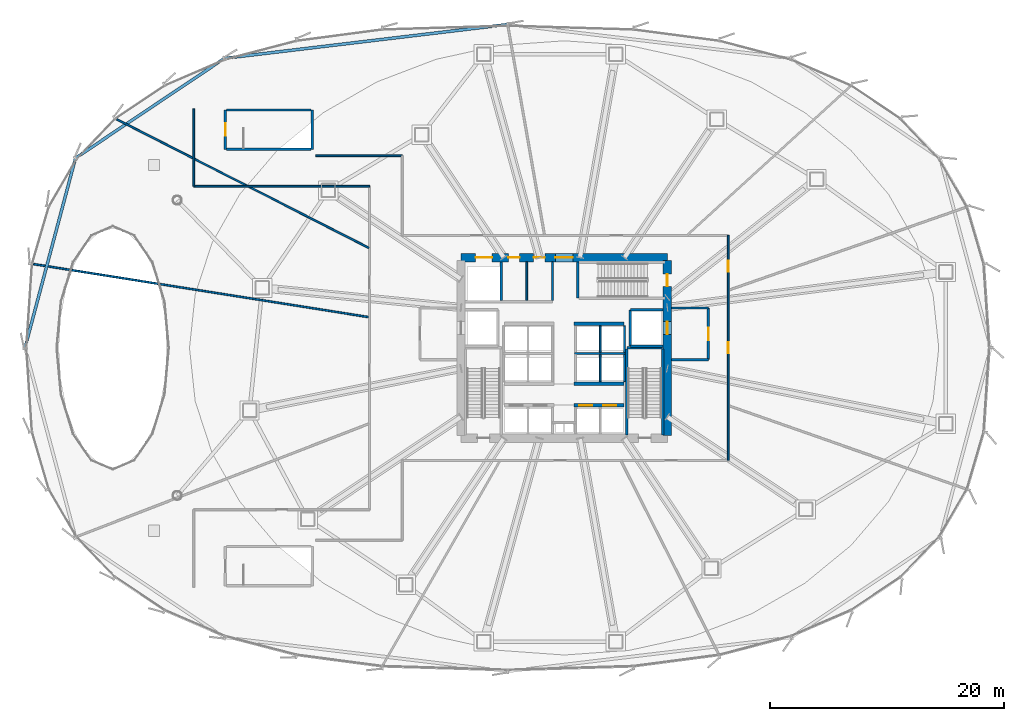
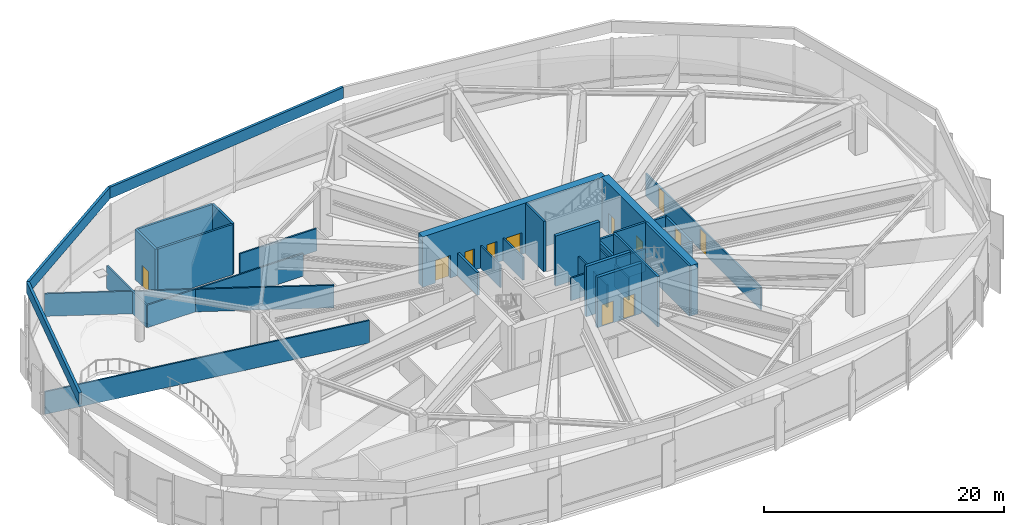
# One storey, part 28 of 36: 36 walls, 12 doors, 12 openings.
"""IFC4 building model written with IfcOpenShell, lengths in metres."""

import ifcopenshell
import ifcopenshell.guid

model = None  # the IFC model being written
_history = None  # IfcOwnerHistory: only IFC2X3 demands one
_inside = {}  # id of a spatial element -> (the spatial element, [elements in it])
_under = {}  # id of a project, library or spatial element -> (it, [spatial elements below it])
_declared = {}  # id of a project -> (the project, [libraries it declares])
_typed = {}  # id of a type object -> (the type object, [elements of that type])
_made_of = {}  # id of a material, layer set ... -> (it, [elements and type objects made of it])


def new_model(schema):
    """Start an empty IFC model of exactly this schema.

    Asked for "IFC4X3", IfcOpenShell would pick the latest addendum, in which some entities
    have other attributes; the version numbers below select the first issue.
    IFC2X3 requires an IfcOwnerHistory on every rooted entity: one is made here for all.
    """
    global model, _history
    if schema == "IFC4X3":
        model = ifcopenshell.file(schema_version=(4, 3, 0, 0))
    else:
        model = ifcopenshell.file(schema=schema)
    _inside.clear()
    _under.clear()
    _declared.clear()
    _typed.clear()
    _made_of.clear()
    _history = None
    if model.schema == "IFC2X3":
        org = make("IfcOrganization", Name="unknown")
        user = make(
            "IfcPersonAndOrganization",
            ThePerson=make("IfcPerson", FamilyName="unknown"),
            TheOrganization=org,
        )
        app = make(
            "IfcApplication",
            ApplicationDeveloper=org,
            Version="unknown",
            ApplicationFullName="unknown",
            ApplicationIdentifier="unknown",
        )
        _history = make(
            "IfcOwnerHistory",
            OwningUser=user,
            OwningApplication=app,
            ChangeAction="ADDED",
            CreationDate=0,
        )
    return model


def make(cls, **values):
    """One entity of the class cls with the attributes given. An attribute that is None is left unset."""
    return model.create_entity(
        cls, **{name: value for name, value in values.items() if value is not None}
    )


def rooted(cls, **values):
    """An entity with a GlobalId (a new one), such as an element, a storey or a relation."""
    return make(cls, GlobalId=ifcopenshell.guid.new(), OwnerHistory=_history, **values)


def si_unit(unit_type, name, prefix=None):
    """IfcSIUnit, for example si_unit("LENGTHUNIT", "METRE", prefix="MILLI")."""
    return make("IfcSIUnit", UnitType=unit_type, Prefix=prefix, Name=name)


def assignment(units):
    """IfcUnitAssignment: the units of a project."""
    return None if units is None else make("IfcUnitAssignment", Units=units)


def point(xyz):
    """IfcCartesianPoint."""
    return None if xyz is None else make("IfcCartesianPoint", Coordinates=xyz)


def direction(xyz):
    """IfcDirection."""
    return None if xyz is None else make("IfcDirection", DirectionRatios=xyz)


def frame(location, z_axis=None, x_axis=None):
    """IfcAxis2Placement3D, a coordinate frame: its origin and axes. An axis left out is left unset."""
    return make(
        "IfcAxis2Placement3D",
        Location=point(location),
        Axis=direction(z_axis),
        RefDirection=direction(x_axis),
    )


def frame_2d(location, x_axis=None):
    """IfcAxis2Placement2D, a coordinate frame in the plane: its origin and x axis."""
    return make(
        "IfcAxis2Placement2D", Location=point(location), RefDirection=direction(x_axis)
    )


def origin():
    """The frame at (0, 0, 0) with its axes left unset."""
    return frame((0.0, 0.0, 0.0))


def place(relative_to, where):
    """IfcLocalPlacement: puts the frame where relative to a parent placement (None: the world)."""
    return make(
        "IfcLocalPlacement", PlacementRelTo=relative_to, RelativePlacement=where
    )


def context(
    kind, dimensions, precision=None, world=None, true_north=None, identifier=None
):
    """IfcGeometricRepresentationContext, for example the 3D "Model" context."""
    return make(
        "IfcGeometricRepresentationContext",
        ContextIdentifier=identifier,
        ContextType=kind,
        CoordinateSpaceDimension=dimensions,
        Precision=precision,
        WorldCoordinateSystem=world,
        TrueNorth=true_north,
    )


def subcontext(parent, identifier, kind, view, scale=None):
    """IfcGeometricRepresentationSubContext, for example "Body" below "Model"."""
    return make(
        "IfcGeometricRepresentationSubContext",
        ContextIdentifier=identifier,
        ContextType=kind,
        ParentContext=parent,
        TargetScale=scale,
        TargetView=view,
    )


def project(units=None, contexts=None):
    """IfcProject with its units and contexts."""
    return rooted(
        "IfcProject",
        Name="project",
        RepresentationContexts=contexts,
        UnitsInContext=assignment(units),
    )


def spatial(cls, under=None, at=None, **own):
    """A site, building, storey or space (cls), placed at a placement, below another one or the project."""
    s = rooted(cls, ObjectPlacement=at, **own)
    if under is not None:
        _under.setdefault(under.id(), (under, []))[1].append(s)
    return s


def profile(cls, at=None, kind="AREA", **sizes):
    """A parametric profile (cls). Its sizes go by their IFC names, for example OverallWidth=200.0."""
    return make(cls, ProfileType=kind, Position=at, **sizes)


def rectangle(**sizes):
    """IfcRectangleProfileDef."""
    return profile("IfcRectangleProfileDef", **sizes)


def extrude(swept, where, along, depth):
    """IfcExtrudedAreaSolid: the profile swept, set in the frame where, extruded along a direction by depth."""
    return make(
        "IfcExtrudedAreaSolid",
        SweptArea=swept,
        Position=where,
        ExtrudedDirection=direction(along),
        Depth=depth,
    )


def shape(context_of_items, identifier, shape_type, items):
    """IfcShapeRepresentation: the items that make up one representation, for example the "Body"."""
    return make(
        "IfcShapeRepresentation",
        ContextOfItems=context_of_items,
        RepresentationIdentifier=identifier,
        RepresentationType=shape_type,
        Items=items,
    )


def source(mapping_origin, context_of_items, identifier, shape_type, items):
    """IfcRepresentationMap: a shape defined once, which mapped items show again and again."""
    return make(
        "IfcRepresentationMap",
        MappingOrigin=mapping_origin,
        MappedRepresentation=shape(context_of_items, identifier, shape_type, items),
    )


def transform(
    local_origin,
    x_axis=None,
    y_axis=None,
    z_axis=None,
    scale=None,
    scale2=None,
    scale3=None,
    uniform=True,
):
    """IfcCartesianTransformationOperator3D, or its non-uniform kind. x_axis, y_axis, z_axis: its Axis1, 2, 3."""
    if uniform:
        return make(
            "IfcCartesianTransformationOperator3D",
            Axis1=direction(x_axis),
            Axis2=direction(y_axis),
            LocalOrigin=point(local_origin),
            Scale=scale,
            Axis3=direction(z_axis),
        )
    return make(
        "IfcCartesianTransformationOperator3DnonUniform",
        Axis1=direction(x_axis),
        Axis2=direction(y_axis),
        LocalOrigin=point(local_origin),
        Scale=scale,
        Axis3=direction(z_axis),
        Scale2=scale2,
        Scale3=scale3,
    )


def mapped(mapping_source, mapping_target):
    """IfcMappedItem: shows the shape of a source again, moved by a transform."""
    return make(
        "IfcMappedItem", MappingSource=mapping_source, MappingTarget=mapping_target
    )


def material(Name=None, Category=None):
    """IfcMaterial."""
    return make("IfcMaterial", Name=Name, Category=Category)


def layer(
    of_material, thickness, ventilated=None, Name=None, Category=None, Priority=None
):
    """IfcMaterialLayer: one layer of a wall or slab, of a material (None: an air gap)."""
    return make(
        "IfcMaterialLayer",
        Material=of_material,
        LayerThickness=thickness,
        IsVentilated=ventilated,
        Name=Name,
        Category=Category,
        Priority=Priority,
    )


def layer_set(layers, Name=None):
    """IfcMaterialLayerSet."""
    return make("IfcMaterialLayerSet", MaterialLayers=layers, LayerSetName=Name)


def made_of(thing, what):
    """Note that an element or type object is made of a material, layer set ...; save() writes the relation."""
    if what is not None:
        _made_of.setdefault(what.id(), (what, []))[1].append(thing)
    return thing


def type_object(cls, material=None, **own):
    """A type object (cls), such as IfcWallType, which elements share."""
    return made_of(rooted(cls, **own), material)


def element(
    cls,
    number,
    at=None,
    inside=None,
    cuts=None,
    type_object=None,
    material=None,
    context=None,
    identifier="Body",
    shape_type=None,
    held_by="IfcProductDefinitionShape",
    body=None,
    shapes=None,
    **own,
):
    """One element of the class cls, such as IfcWall. Its Tag is "e" and its number.

    at: its placement. inside: the storey or other place that contains it. cuts: it is an
    opening in that element (IfcRelVoidsElement). A single representation is given by context,
    identifier, shape_type and body (its items); several are given by shapes. held_by: the class
    of the entity that holds the representations. save() writes the other relations.
    """
    e = rooted(cls, Tag="e%d" % number, ObjectPlacement=at, **own)
    if body is not None:
        shapes = [shape(context, identifier, shape_type, body)]
    if shapes is not None:
        e.Representation = make(held_by, Representations=shapes)
    if inside is not None:
        _inside.setdefault(inside.id(), (inside, []))[1].append(e)
    if cuts is not None:
        rooted(
            "IfcRelVoidsElement", RelatingBuildingElement=cuts, RelatedOpeningElement=e
        )
    if type_object is not None:
        _typed.setdefault(type_object.id(), (type_object, []))[1].append(e)
    return made_of(e, material)


def fill(opening, filler):
    """IfcRelFillsElement: the door or window that sits in an opening."""
    return rooted(
        "IfcRelFillsElement",
        RelatingOpeningElement=opening,
        RelatedBuildingElement=filler,
    )


def aggregate(whole, parts):
    """IfcRelAggregates: a whole, such as a stair, and the parts it consists of."""
    return rooted("IfcRelAggregates", RelatingObject=whole, RelatedObjects=parts)


def save(model, path):
    """Write the relations noted so far, then the file.

    IfcRelAggregates (storeys below a building ...), IfcRelContainedInSpatialStructure (elements
    in a storey), IfcRelDefinesByType, IfcRelAssociatesMaterial and IfcRelDeclares: one each for
    every whole, place, type object, material and project.
    """
    for whole, parts in _under.values():
        aggregate(whole, parts)
    for where, things in _inside.values():
        rooted(
            "IfcRelContainedInSpatialStructure",
            RelatedElements=things,
            RelatingStructure=where,
        )
    for kind, things in _typed.values():
        rooted("IfcRelDefinesByType", RelatedObjects=things, RelatingType=kind)
    for what, things in _made_of.values():
        rooted("IfcRelAssociatesMaterial", RelatedObjects=things, RelatingMaterial=what)
    for by, libraries in _declared.values():
        rooted("IfcRelDeclares", RelatingContext=by, RelatedDefinitions=libraries)
    model.write(path)


model = new_model("IFC4")

# Units and contexts
model_context = context("Model", 3, precision=1e-05, world=origin(), true_north=direction((0.0, 1.0)))
body_context = subcontext(model_context, "Body", "Model", "MODEL_VIEW")
ifc_project = project(units=[si_unit("LENGTHUNIT", "METRE"), si_unit("AREAUNIT", "SQUARE_METRE"), si_unit("VOLUMEUNIT", "CUBIC_METRE"), si_unit("PLANEANGLEUNIT", "RADIAN"), si_unit("MASSUNIT", "GRAM", prefix="KILO"), si_unit("THERMODYNAMICTEMPERATUREUNIT", "KELVIN")], contexts=[model_context])

# Site, building, storey
site_placement = place(None, origin())
site = spatial("IfcSite", under=ifc_project, at=site_placement, CompositionType="ELEMENT")
building_placement = place(site_placement, origin())
building = spatial("IfcBuilding", under=site, at=building_placement, Name="Kethvar Cultural Tower", CompositionType="ELEMENT")
storey_placement = place(building_placement, frame((0.0, 0.0, 24.0)))
storey = spatial("IfcBuildingStorey", under=building, at=storey_placement, Name="L05", CompositionType="ELEMENT", Elevation=24.0)

# Wall, openings, doors
ifc_material_1 = material(Name="Concrete C60/75", Category="concrete")
ifc_layer_1 = layer(ifc_material_1, 0.699951171875, Name="Concrete C60/75", Category="concrete")
ifc_layer_set_1 = layer_set([ifc_layer_1], Name="Concrete C60/75 (700 mm)")
wall_type_1 = type_object("IfcWallType", Name="WL-CORE-700", PredefinedType="SHEAR", material=ifc_layer_set_1)
wall_1_placement = place(storey_placement, frame((55.60009765625, 35.5, 0.0), z_axis=(0.0, 0.0, 1.0), x_axis=(-1.0, 0.0, 0.0)))
wall_1 = element("IfcWall", 1, at=wall_1_placement, inside=storey, type_object=wall_type_1, Name="L05 Core Shear Wall N", PredefinedType="SHEAR", context=body_context, shape_type="SweptSolid", body=[
    extrude(rectangle(XDim=17.60009765625, YDim=0.699951171875, at=frame_2d((8.800048828125, 0.0))), origin(), (0.0, 0.0, 1.0), 5.1201171875),
])
opening_1_placement = place(wall_1_placement, frame((8.050048828125, 0.0, 0.0)))
opening_1 = element("IfcOpeningElement", 2, at=opening_1_placement, cuts=wall_1, Name="Opening D-L05-LN", PredefinedType="OPENING", context=body_context, shape_type="SweptSolid", body=[
    extrude(rectangle(XDim=1.5, YDim=2.199951171875, at=frame_2d((0.75, 1.10009765625))), frame((0.0, 0.35986328125, 0.0), z_axis=(0.0, -1.0, 0.0), x_axis=(1.0, 0.0, 0.0)), (0.0, 0.0, 1.0), 0.719970703125),
])
opening_2_placement = place(wall_1_placement, frame((14.949951171875, 0.0, 0.0)))
opening_2 = element("IfcOpeningElement", 3, at=opening_2_placement, cuts=wall_1, Name="Opening LD-G1", PredefinedType="OPENING", context=body_context, shape_type="SweptSolid", body=[
    extrude(rectangle(XDim=1.39990234375, YDim=2.300048828125, at=frame_2d((0.699951171875, 1.14990234375))), frame((0.0, 0.35986328125, 0.0), z_axis=(0.0, -1.0, 0.0), x_axis=(1.0, 0.0, 0.0)), (0.0, 0.0, 1.0), 0.719970703125),
])
opening_3_placement = place(wall_1_placement, frame((12.60009765625, 0.0, 0.0)))
opening_3 = element("IfcOpeningElement", 4, at=opening_3_placement, cuts=wall_1, Name="Opening D-L05-W1", PredefinedType="OPENING", context=body_context, shape_type="SweptSolid", body=[
    extrude(rectangle(XDim=0.949951171875, YDim=2.14990234375, at=frame_2d((0.47509765625, 1.074951171875))), frame((0.0, 0.35986328125, 0.0), z_axis=(0.0, -1.0, 0.0), x_axis=(1.0, 0.0, 0.0)), (0.0, 0.0, 1.0), 0.719970703125),
])
opening_4_placement = place(wall_1_placement, frame((10.449951171875, 0.0, 0.0)))
opening_4 = element("IfcOpeningElement", 5, at=opening_4_placement, cuts=wall_1, Name="Opening D-L05-W2", PredefinedType="OPENING", context=body_context, shape_type="SweptSolid", body=[
    extrude(rectangle(XDim=0.949951171875, YDim=2.14990234375, at=frame_2d((0.47509765625, 1.074951171875))), frame((0.0, 0.35986328125, 0.0), z_axis=(0.0, -1.0, 0.0), x_axis=(1.0, 0.0, 0.0)), (0.0, 0.0, 1.0), 0.719970703125),
])
ifc_material_2 = material(Name="Architectural Oak Timber", Category="wood")
door_type_1 = type_object("IfcDoorType", Name="DR-DBL-FD60-1500", OperationType="DOUBLE_DOOR_SINGLE_SWING", PredefinedType="DOOR", material=ifc_material_2)
shared_shape_1 = source(origin(), body_context, "Body", "SweptSolid", [
    extrude(rectangle(XDim=1.5, YDim=2.199951171875, at=frame_2d((0.75, 1.10009765625))), frame((0.0, 0.02490234375, 0.0), z_axis=(0.0, -1.0, 0.0), x_axis=(1.0, 0.0, 0.0)), (0.0, 0.0, 1.0), 0.050048828125),
])
door_1_placement = place(opening_1_placement, origin())
door_1 = element("IfcDoor", 6, at=door_1_placement, inside=storey, type_object=door_type_1, Name="L05 Lift Lobby Concourse Door", OperationType="DOUBLE_DOOR_SINGLE_SWING", OverallHeight=2.199951171875, OverallWidth=1.5, PredefinedType="DOOR", context=body_context, shape_type="MappedRepresentation", body=[
    mapped(shared_shape_1, transform((0.0, 0.0, 0.0), scale=1.0)),
])
fill(opening_1, door_1)
ifc_material_3 = material(Name="Steel S355J2", Category="steel")
door_type_2 = type_object("IfcDoorType", Name="DR-LIFT-SLIDE-1400", OperationType="NOTDEFINED", PredefinedType="DOOR", material=ifc_material_3)
shared_shape_2 = source(origin(), body_context, "Body", "SweptSolid", [
    extrude(rectangle(XDim=1.39990234375, YDim=2.300048828125, at=frame_2d((0.699951171875, 1.14990234375))), frame((0.0, 0.02490234375, 0.0), z_axis=(0.0, -1.0, 0.0), x_axis=(1.0, 0.0, 0.0)), (0.0, 0.0, 1.0), 0.050048828125),
])
door_2_placement = place(opening_2_placement, origin())
door_2 = element("IfcDoor", 7, at=door_2_placement, inside=storey, type_object=door_type_2, Name="L05 Goods Lift Landing Door", OperationType="SLIDING_TO_RIGHT", OverallHeight=2.300048828125, OverallWidth=1.39990234375, PredefinedType="DOOR", context=body_context, shape_type="MappedRepresentation", body=[
    mapped(shared_shape_2, transform((0.0, 0.0, 0.0), scale=1.0)),
])
fill(opening_2, door_2)
door_type_3 = type_object("IfcDoorType", Name="DR-FD30-950", OperationType="NOTDEFINED", PredefinedType="DOOR", material=ifc_material_2)
shared_shape_3 = source(origin(), body_context, "Body", "SweptSolid", [
    extrude(rectangle(XDim=0.949951171875, YDim=2.14990234375, at=frame_2d((0.47509765625, 1.074951171875))), frame((0.0, 0.02490234375, 0.0), z_axis=(0.0, -1.0, 0.0), x_axis=(1.0, 0.0, 0.0)), (0.0, 0.0, 1.0), 0.050048828125),
])
door_3_placement = place(opening_3_placement, origin())
door_3 = element("IfcDoor", 8, at=door_3_placement, inside=storey, type_object=door_type_3, Name="L05 Accessible Washroom Door", OperationType="SINGLE_SWING_LEFT", OverallHeight=2.14990234375, OverallWidth=0.949951171875, PredefinedType="DOOR", context=body_context, shape_type="MappedRepresentation", body=[
    mapped(shared_shape_3, transform((0.0, 0.0, 0.0), scale=1.0)),
])
fill(opening_3, door_3)
door_4_placement = place(opening_4_placement, origin())
door_4 = element("IfcDoor", 9, at=door_4_placement, inside=storey, type_object=door_type_3, Name="L05 Public Washroom Door", OperationType="SINGLE_SWING_RIGHT", OverallHeight=2.14990234375, OverallWidth=0.949951171875, PredefinedType="DOOR", context=body_context, shape_type="MappedRepresentation", body=[
    mapped(shared_shape_3, transform((0.0, 0.0, 0.0), scale=1.0)),
])
fill(opening_4, door_4)

wall_2_placement = place(storey_placement, frame((55.60009765625, 20.340087890625, 0.0), z_axis=(0.0, 0.0, 1.0), x_axis=(0.0, 1.0, 0.0)))
wall_2 = element("IfcWall", 10, at=wall_2_placement, inside=storey, type_object=wall_type_1, Name="L05 Core Shear Wall E", PredefinedType="SHEAR", context=body_context, shape_type="SweptSolid", body=[
    extrude(rectangle(XDim=14.919921875, YDim=0.699951171875, at=frame_2d((7.4599609375, 0.0))), origin(), (0.0, 0.0, 1.0), 5.1201171875),
])
opening_5_placement = place(wall_2_placement, frame((12.7099609375, 0.0, 0.0)))
opening_5 = element("IfcOpeningElement", 11, at=opening_5_placement, cuts=wall_2, Name="Opening D-L05-S3", PredefinedType="OPENING", context=body_context, shape_type="SweptSolid", body=[
    extrude(rectangle(XDim=1.050048828125, YDim=2.14990234375, at=frame_2d((0.52490234375, 1.074951171875))), frame((0.0, 0.35986328125, 0.0), z_axis=(0.0, -1.0, 0.0), x_axis=(1.0, 0.0, 0.0)), (0.0, 0.0, 1.0), 0.719970703125),
])
opening_6_placement = place(wall_2_placement, frame((8.610107421875, 0.0, 0.0)))
opening_6 = element("IfcOpeningElement", 12, at=opening_6_placement, cuts=wall_2, Name="Opening LD-2", PredefinedType="OPENING", context=body_context, shape_type="SweptSolid", body=[
    extrude(rectangle(XDim=1.10009765625, YDim=2.199951171875, at=frame_2d((0.550048828125, 1.10009765625))), frame((0.0, 0.35986328125, 0.0), z_axis=(0.0, -1.0, 0.0), x_axis=(1.0, 0.0, 0.0)), (0.0, 0.0, 1.0), 0.719970703125),
])
door_type_4 = type_object("IfcDoorType", Name="DR-FD60-1050", OperationType="NOTDEFINED", PredefinedType="DOOR", material=ifc_material_3)
shared_shape_4 = source(origin(), body_context, "Body", "SweptSolid", [
    extrude(rectangle(XDim=1.050048828125, YDim=2.14990234375, at=frame_2d((0.52490234375, 1.074951171875))), frame((0.0, 0.02490234375, 0.0), z_axis=(0.0, -1.0, 0.0), x_axis=(1.0, 0.0, 0.0)), (0.0, 0.0, 1.0), 0.050048828125),
])
door_5_placement = place(opening_5_placement, origin())
door_5 = element("IfcDoor", 13, at=door_5_placement, inside=storey, type_object=door_type_4, Name="L05 Exit Stair 3 Door", OperationType="SINGLE_SWING_LEFT", OverallHeight=2.14990234375, OverallWidth=1.050048828125, PredefinedType="DOOR", context=body_context, shape_type="MappedRepresentation", body=[
    mapped(shared_shape_4, transform((0.0, 0.0, 0.0), scale=1.0)),
])
fill(opening_5, door_5)
door_type_5 = type_object("IfcDoorType", Name="DR-LIFT-SLIDE-1100", OperationType="NOTDEFINED", PredefinedType="DOOR", material=ifc_material_3)
shared_shape_5 = source(origin(), body_context, "Body", "SweptSolid", [
    extrude(rectangle(XDim=1.10009765625, YDim=2.199951171875, at=frame_2d((0.550048828125, 1.10009765625))), frame((0.0, 0.02490234375, 0.0), z_axis=(0.0, -1.0, 0.0), x_axis=(1.0, 0.0, 0.0)), (0.0, 0.0, 1.0), 0.050048828125),
])
door_6_placement = place(opening_6_placement, origin())
door_6 = element("IfcDoor", 14, at=door_6_placement, inside=storey, type_object=door_type_5, Name="L05 Firefighting Lift Landing Door FFL-02", OperationType="SLIDING_TO_RIGHT", OverallHeight=2.199951171875, OverallWidth=1.10009765625, PredefinedType="DOOR", context=body_context, shape_type="MappedRepresentation", body=[
    mapped(shared_shape_5, transform((0.0, 0.0, 0.0), scale=1.0)),
])
fill(opening_6, door_6)

# Walls
ifc_material_4 = material(Name="Gypsum Fireboard Partition")
ifc_layer_2 = layer(ifc_material_4, 0.14990234375, Name="Gypsum Fireboard Partition")
ifc_layer_set_2 = layer_set([ifc_layer_2], Name="Gypsum Fireboard Partition (150 mm)")
wall_type_2 = type_object("IfcWallType", Name="WL-FIRE-150", PredefinedType="PARTITIONING", material=ifc_layer_set_2)
wall_3_placement = place(storey_placement, frame((47.699951171875, 27.324951171875, 0.0), z_axis=(0.0, 0.0, 1.0), x_axis=(1.0, 0.0, 0.0)))
element("IfcWall", 15, at=wall_3_placement, inside=storey, type_object=wall_type_2, Name="L05 Mid-High Lift Shaft Back Wall E", PredefinedType="PARTITIONING", context=body_context, shape_type="SweptSolid", body=[
    extrude(rectangle(XDim=4.320068359375, YDim=0.14990234375, at=frame_2d((2.16015625, 0.0))), origin(), (0.0, 0.0, 1.0), 2.294921875),
])
for number, where, z_axis, x_axis, name in (
    (16, (49.875, 24.919921875, 0.0), (0.0, 0.0, 1.0), (0.0, 1.0, 0.0), "L05 Mid-Rise Lift Shaft Divider E"),
    (17, (51.949951171875, 24.919921875, 0.0), (0.0, 0.0, 1.0), (0.0, 1.0, 0.0), "L05 Mid-Rise Lift Shaft Outer Wall E"),
):
    element("IfcWall", number, at=place(storey_placement, frame(where, z_axis=z_axis, x_axis=x_axis)), inside=storey, type_object=wall_type_2, Name=name, PredefinedType="PARTITIONING", context=body_context, shape_type="SweptSolid", body=[
        extrude(rectangle(XDim=2.320068359375, YDim=0.14990234375, at=frame_2d((1.16015625, 0.0))), origin(), (0.0, 0.0, 1.0), 2.294921875),
    ])
for number, where, z_axis, x_axis, name in (
    (18, (49.875, 27.409912109375, 0.0), (0.0, 0.0, 1.0), (0.0, 1.0, 0.0), "L05 High-Rise Lift Shaft Divider E"),
    (19, (51.949951171875, 27.409912109375, 0.0), (0.0, 0.0, 1.0), (0.0, 1.0, 0.0), "L05 High-Rise Lift Shaft Outer Wall E"),
):
    element("IfcWall", number, at=place(storey_placement, frame(where, z_axis=z_axis, x_axis=x_axis)), inside=storey, type_object=wall_type_2, Name=name, PredefinedType="PARTITIONING", context=body_context, shape_type="SweptSolid", body=[
        extrude(rectangle(XDim=2.27001953125, YDim=0.14990234375, at=frame_2d((1.135009765625, 0.0))), origin(), (0.0, 0.0, 1.0), 2.294921875),
    ])
wall_4_placement = place(storey_placement, frame((45.800048828125, 31.85009765625, 0.0), z_axis=(0.0, 0.0, 1.0), x_axis=(0.0, 1.0, 0.0)))
element("IfcWall", 20, at=wall_4_placement, inside=storey, type_object=wall_type_2, Name="L05 Sanitary Spine Wall", PredefinedType="PARTITIONING", context=body_context, shape_type="SweptSolid", body=[
    extrude(rectangle(XDim=3.289794921875, YDim=0.14990234375, at=frame_2d((1.64501953125, 0.0))), origin(), (0.0, 0.0, 1.0), 2.294921875),
])

# Wall, openings, doors
wall_5_placement = place(storey_placement, frame((60.800048828125, 18.199951171875, 0.0), z_axis=(0.0, 0.0, 1.0), x_axis=(0.0, 1.0, 0.0)))
wall_5 = element("IfcWall", 21, at=wall_5_placement, inside=storey, type_object=wall_type_2, Name="L05 Corridor Rated Wall E", PredefinedType="PARTITIONING", context=body_context, shape_type="SweptSolid", body=[
    extrude(rectangle(XDim=19.199951171875, YDim=0.14990234375, at=frame_2d((9.60009765625, 0.0))), origin(), (0.0, 0.0, 1.0), 2.294921875),
])
opening_7_placement = place(wall_5_placement, frame((16.09033203125, 0.0, 0.0)))
opening_7 = element("IfcOpeningElement", 22, at=opening_7_placement, cuts=wall_5, Name="Opening D-L05-01", PredefinedType="OPENING", context=body_context, shape_type="SweptSolid", body=[
    extrude(rectangle(XDim=0.949951171875, YDim=2.14990234375, at=frame_2d((0.47509765625, 1.074951171875))), frame((0.0, 0.0849609375, 0.0), z_axis=(0.0, -1.0, 0.0), x_axis=(1.0, 0.0, 0.0)), (0.0, 0.0, 1.0), 0.169921875),
])
opening_8_placement = place(wall_5_placement, frame((9.125, 0.0, 0.0)))
opening_8 = element("IfcOpeningElement", 23, at=opening_8_placement, cuts=wall_5, Name="Opening D-L05-09", PredefinedType="OPENING", context=body_context, shape_type="SweptSolid", body=[
    extrude(rectangle(XDim=0.949951171875, YDim=2.14990234375, at=frame_2d((0.47509765625, 1.074951171875))), frame((0.0, 0.0849609375, 0.0), z_axis=(0.0, -1.0, 0.0), x_axis=(1.0, 0.0, 0.0)), (0.0, 0.0, 1.0), 0.169921875),
])
door_7_placement = place(opening_7_placement, origin())
door_7 = element("IfcDoor", 24, at=door_7_placement, inside=storey, type_object=door_type_3, Name="L05 Transfer Switchgear Plant Room 01 Door", OperationType="SINGLE_SWING_RIGHT", OverallHeight=2.14990234375, OverallWidth=0.949951171875, PredefinedType="DOOR", context=body_context, shape_type="MappedRepresentation", body=[
    mapped(shared_shape_3, transform((0.0, 0.0, 0.0), scale=1.0)),
])
fill(opening_7, door_7)
door_8_placement = place(opening_8_placement, origin())
door_8 = element("IfcDoor", 25, at=door_8_placement, inside=storey, type_object=door_type_3, Name="L05 Heat Recovery Mechanical Plant Room 09 Door", OperationType="SINGLE_SWING_RIGHT", OverallHeight=2.14990234375, OverallWidth=0.949951171875, PredefinedType="DOOR", context=body_context, shape_type="MappedRepresentation", body=[
    mapped(shared_shape_3, transform((0.0, 0.0, 0.0), scale=1.0)),
])
fill(opening_8, door_8)

# Walls
wall_6_placement = place(storey_placement, frame((15.199951171875, 41.60009765625, 0.0), z_axis=(0.0, 0.0, 1.0), x_axis=(1.0, 0.0, 0.0)))
element("IfcWall", 26, at=wall_6_placement, inside=storey, type_object=wall_type_2, Name="L05 Corridor Rated Wall WN1", PredefinedType="PARTITIONING", context=body_context, shape_type="SweptSolid", body=[
    extrude(rectangle(XDim=15.0, YDim=0.14990234375, at=frame_2d((7.5, 0.0))), origin(), (0.0, 0.0, 1.0), 2.294921875),
])
wall_7_placement = place(storey_placement, frame((25.60009765625, 44.199951171875, 0.0), z_axis=(0.0, 0.0, 1.0), x_axis=(1.0, 0.0, 0.0)))
element("IfcWall", 27, at=wall_7_placement, inside=storey, type_object=wall_type_2, Name="L05 Corridor Rated Wall WN2", PredefinedType="PARTITIONING", context=body_context, shape_type="SweptSolid", body=[
    extrude(rectangle(XDim=7.39990234375, YDim=0.14990234375, at=frame_2d((3.699951171875, 0.0))), origin(), (0.0, 0.0, 1.0), 2.294921875),
])
wall_8_placement = place(storey_placement, frame((15.199951171875, 41.60009765625, 0.0), z_axis=(0.0, 0.0, 1.0), x_axis=(0.0, 1.0, 0.0)))
element("IfcWall", 28, at=wall_8_placement, inside=storey, type_object=wall_type_2, Name="L05 Corridor Rated Wall WN4", PredefinedType="PARTITIONING", context=body_context, shape_type="SweptSolid", body=[
    extrude(rectangle(XDim=6.599853515625, YDim=0.14990234375, at=frame_2d((3.2998046875, 0.0))), origin(), (0.0, 0.0, 1.0), 2.294921875),
])
wall_9_placement = place(storey_placement, frame((30.128662109375, 36.337158203125, 0.0), z_axis=(0.0, 0.0, 1.0), x_axis=(-0.890779258419, 0.454436258203, 0.0)))
element("IfcWall", 29, at=wall_9_placement, inside=storey, type_object=wall_type_2, Name="L05 Radial Partition Wall 04", PredefinedType="PARTITIONING", context=body_context, shape_type="SweptSolid", body=[
    extrude(rectangle(XDim=24.126220703125, YDim=0.14990234375, at=frame_2d((12.06298828125, 0.0))), origin(), (0.0, 0.0, 1.0), 2.294921875),
])
wall_10_placement = place(storey_placement, frame((30.12109375, 30.430419921875, 0.0), z_axis=(0.0, 0.0, 1.0), x_axis=(-0.987728611066, 0.156179995142, 0.0)))
element("IfcWall", 30, at=wall_10_placement, inside=storey, type_object=wall_type_2, Name="L05 Radial Partition Wall 05", PredefinedType="PARTITIONING", context=body_context, shape_type="SweptSolid", body=[
    extrude(rectangle(XDim=28.94580078125, YDim=0.14990234375, at=frame_2d((14.472900390625, 0.0))), origin(), (0.0, 0.0, 1.0), 2.294921875),
])
ifc_material_5 = material(Name="Concrete C40/50", Category="concrete")
ifc_layer_3 = layer(ifc_material_5, 0.199951171875, Name="Concrete C40/50", Category="concrete")
ifc_layer_set_3 = layer_set([ifc_layer_3], Name="Concrete C40/50 (200 mm)")
wall_type_3 = type_object("IfcWallType", Name="WL-FIRE-200", PredefinedType="PARTITIONING", material=ifc_layer_set_3)
wall_11_placement = place(storey_placement, frame((52.449951171875, 27.949951171875, 0.0), z_axis=(0.0, 0.0, 1.0), x_axis=(0.0, 1.0, 0.0)))
element("IfcWall", 31, at=wall_11_placement, inside=storey, type_object=wall_type_3, Name="L05 FFL-02 Shaft Inner Wall", PredefinedType="PARTITIONING", context=body_context, shape_type="SweptSolid", body=[
    extrude(rectangle(XDim=3.10009765625, YDim=0.199951171875, at=frame_2d((1.550048828125, 0.0))), origin(), (0.0, 0.0, 1.0), 2.294921875),
])
for number, where, z_axis, x_axis, name in (
    (32, (52.449951171875, 27.949951171875, 0.0), (0.0, 0.0, 1.0), (1.0, 0.0, 0.0), "L05 FFL-02 Shaft South Wall"),
    (33, (52.449951171875, 31.050048828125, 0.0), (0.0, 0.0, 1.0), (1.0, 0.0, 0.0), "L05 FFL-02 Shaft North Wall"),
):
    element("IfcWall", number, at=place(storey_placement, frame(where, z_axis=z_axis, x_axis=x_axis)), inside=storey, type_object=wall_type_3, Name=name, PredefinedType="PARTITIONING", context=body_context, shape_type="SweptSolid", body=[
        extrude(rectangle(XDim=2.7900390625, YDim=0.199951171875, at=frame_2d((1.39501953125, 0.0))), origin(), (0.0, 0.0, 1.0), 2.294921875),
    ])

# Wall, opening, door
wall_12_placement = place(storey_placement, frame((59.10009765625, 26.800048828125, 0.0), z_axis=(0.0, 0.0, 1.0), x_axis=(0.0, 1.0, 0.0)))
wall_12 = element("IfcWall", 34, at=wall_12_placement, inside=storey, type_object=wall_type_3, Name="L05 Firefighting Lobby 2 Wall", PredefinedType="PARTITIONING", context=body_context, shape_type="SweptSolid", body=[
    extrude(rectangle(XDim=4.39990234375, YDim=0.199951171875, at=frame_2d((2.199951171875, 0.0))), origin(), (0.0, 0.0, 1.0), 2.294921875),
])
opening_9_placement = place(wall_12_placement, frame((1.64990234375, 0.0, 0.0)))
opening_9 = element("IfcOpeningElement", 35, at=opening_9_placement, cuts=wall_12, Name="Opening D-L05-F2", PredefinedType="OPENING", context=body_context, shape_type="SweptSolid", body=[
    extrude(rectangle(XDim=1.050048828125, YDim=2.14990234375, at=frame_2d((0.52490234375, 1.074951171875))), frame((0.0, 0.10986328125, 0.0), z_axis=(0.0, -1.0, 0.0), x_axis=(1.0, 0.0, 0.0)), (0.0, 0.0, 1.0), 0.219970703125),
])
door_9_placement = place(opening_9_placement, origin())
door_9 = element("IfcDoor", 36, at=door_9_placement, inside=storey, type_object=door_type_4, Name="L05 Firefighting Lobby 2 Fire Door", OperationType="SINGLE_SWING_LEFT", OverallHeight=2.14990234375, OverallWidth=1.050048828125, PredefinedType="DOOR", context=body_context, shape_type="MappedRepresentation", body=[
    mapped(shared_shape_4, transform((0.0, 0.0, 0.0), scale=1.0)),
])
fill(opening_9, door_9)

# Walls
for number, where, z_axis, x_axis, name in (
    (37, (55.9599609375, 26.800048828125, 0.0), (0.0, 0.0, 1.0), (1.0, 0.0, 0.0), "L05 FF Lobby 2 South Wall"),
    (38, (55.9599609375, 31.199951171875, 0.0), (0.0, 0.0, 1.0), (1.0, 0.0, 0.0), "L05 FF Lobby 2 North Wall"),
):
    element("IfcWall", number, at=place(storey_placement, frame(where, z_axis=z_axis, x_axis=x_axis)), inside=storey, type_object=wall_type_3, Name=name, PredefinedType="PARTITIONING", context=body_context, shape_type="SweptSolid", body=[
        extrude(rectangle(XDim=3.14013671875, YDim=0.199951171875, at=frame_2d((1.570068359375, 0.0))), origin(), (0.0, 0.0, 1.0), 2.294921875),
    ])
wall_13_placement = place(storey_placement, frame((41.449951171875, 31.85009765625, 0.0), z_axis=(0.0, 0.0, 1.0), x_axis=(0.0, 1.0, 0.0)))
element("IfcWall", 39, at=wall_13_placement, inside=storey, type_object=wall_type_3, Name="L05 NW Core Pocket Wall", PredefinedType="PARTITIONING", context=body_context, shape_type="SweptSolid", body=[
    extrude(rectangle(XDim=3.289794921875, YDim=0.199951171875, at=frame_2d((1.64501953125, 0.0))), origin(), (0.0, 0.0, 1.0), 2.294921875),
])
ifc_material_6 = material(Name="Precast concrete C40/50", Category="concrete")
ifc_layer_4 = layer(ifc_material_6, 0.25, Name="Precast concrete C40/50", Category="concrete")
ifc_layer_set_4 = layer_set([ifc_layer_4], Name="Precast concrete C40/50 (250 mm)")
wall_type_4 = type_object("IfcWallType", Name="WL-PARAPET-250", PredefinedType="PARAPET", material=ifc_layer_set_4)
wall_14_placement = place(storey_placement, frame((42.0, 55.39990234375, 5.60009765625), z_axis=(0.0, 0.0, 1.0), x_axis=(-0.99292501543, -0.118743057625, 0.0)))
element("IfcWall", 40, at=wall_14_placement, inside=storey, type_object=wall_type_4, Name="Podium Roof Parapet Wall WP-04", PredefinedType="PARAPET", context=body_context, shape_type="SweptSolid", body=[
    extrude(rectangle(XDim=24.345703125, YDim=0.25, at=frame_2d((12.1728515625, 0.0))), origin(), (0.0, 0.0, 1.0), 1.14990234375),
])
wall_15_placement = place(storey_placement, frame((17.82666015625, 52.509033203125, 5.60009765625), z_axis=(0.0, 0.0, 1.0), x_axis=(-0.83081092872, -0.556554759856, 0.0)))
element("IfcWall", 41, at=wall_15_placement, inside=storey, type_object=wall_type_4, Name="Podium Roof Parapet Wall WP-05", PredefinedType="PARAPET", context=body_context, shape_type="SweptSolid", body=[
    extrude(rectangle(XDim=15.2998046875, YDim=0.25, at=frame_2d((7.64990234375, 0.0))), origin(), (0.0, 0.0, 1.0), 1.14990234375),
])
wall_16_placement = place(storey_placement, frame((5.115478515625, 43.993896484375, 5.60009765625), z_axis=(0.0, 0.0, 1.0), x_axis=(-0.257499439796, -0.966278447708, 0.0)))
element("IfcWall", 42, at=wall_16_placement, inside=storey, type_object=wall_type_4, Name="Podium Roof Parapet Wall WP-06", PredefinedType="PARAPET", context=body_context, shape_type="SweptSolid", body=[
    extrude(rectangle(XDim=16.759033203125, YDim=0.25, at=frame_2d((8.37939453125, 0.0))), origin(), (0.0, 0.0, 1.0), 1.14990234375),
])
ifc_material_7 = material(Name="Moisture-Resistant Sanitary Chase Wall")
ifc_layer_5 = layer(ifc_material_7, 0.14990234375, Name="Moisture-Resistant Sanitary Chase Wall")
ifc_layer_set_5 = layer_set([ifc_layer_5], Name="Moisture-Resistant Sanitary Chase Wall (150 mm)")
wall_type_5 = type_object("IfcWallType", Name="WL-PLUMB-150", PredefinedType="PLUMBINGWALL", material=ifc_layer_set_5)
wall_17_placement = place(storey_placement, frame((43.6201171875, 31.85009765625, 0.0), z_axis=(0.0, 0.0, 1.0), x_axis=(0.0, 1.0, 0.0)))
element("IfcWall", 43, at=wall_17_placement, inside=storey, type_object=wall_type_5, Name="L05 Sanitary Plumbing Wall", PredefinedType="PLUMBINGWALL", context=body_context, shape_type="SweptSolid", body=[
    extrude(rectangle(XDim=3.289794921875, YDim=0.14990234375, at=frame_2d((1.64501953125, 0.0))), origin(), (0.0, 0.0, 1.0), 2.294921875),
])

# Wall, openings, doors
ifc_material_8 = material(Name="Concrete C50/60", Category="concrete")
ifc_layer_6 = layer(ifc_material_8, 0.300048828125, Name="Concrete C50/60", Category="concrete")
ifc_layer_set_6 = layer_set([ifc_layer_6], Name="Concrete C50/60 (300 mm)")
wall_type_6 = type_object("IfcWallType", Name="WL-SHAFT-300", PredefinedType="SHEAR", material=ifc_layer_set_6)
wall_18_placement = place(storey_placement, frame((47.64990234375, 22.89990234375, 0.0), z_axis=(0.0, 0.0, 1.0), x_axis=(1.0, 0.0, 0.0)))
wall_18 = element("IfcWall", 44, at=wall_18_placement, inside=storey, type_object=wall_type_6, Name="L05 Core Lift Spine Wall MID1E", PredefinedType="SHEAR", context=body_context, shape_type="SweptSolid", body=[
    extrude(rectangle(XDim=4.25, YDim=0.300048828125, at=frame_2d((2.125, 0.0))), origin(), (0.0, 0.0, 1.0), 5.1201171875),
])
opening_10_placement = place(wall_18_placement, frame((0.449951171875, 0.0, 0.0)))
opening_10 = element("IfcOpeningElement", 45, at=opening_10_placement, cuts=wall_18, Name="Opening LD-L3", PredefinedType="OPENING", context=body_context, shape_type="SweptSolid", body=[
    extrude(rectangle(XDim=1.10009765625, YDim=2.199951171875, at=frame_2d((0.550048828125, 1.10009765625))), frame((0.0, 0.159912109375, 0.0), z_axis=(0.0, -1.0, 0.0), x_axis=(1.0, 0.0, 0.0)), (0.0, 0.0, 1.0), 0.320068359375),
])
opening_11_placement = place(wall_18_placement, frame((2.5, 0.0, 0.0)))
opening_11 = element("IfcOpeningElement", 46, at=opening_11_placement, cuts=wall_18, Name="Opening LD-L4", PredefinedType="OPENING", context=body_context, shape_type="SweptSolid", body=[
    extrude(rectangle(XDim=1.10009765625, YDim=2.199951171875, at=frame_2d((0.550048828125, 1.10009765625))), frame((0.0, 0.159912109375, 0.0), z_axis=(0.0, -1.0, 0.0), x_axis=(1.0, 0.0, 0.0)), (0.0, 0.0, 1.0), 0.320068359375),
])
door_10_placement = place(opening_10_placement, origin())
door_10 = element("IfcDoor", 47, at=door_10_placement, inside=storey, type_object=door_type_5, Name="L05 Low-Rise Lift Landing Door L3", OperationType="SLIDING_TO_LEFT", OverallHeight=2.199951171875, OverallWidth=1.10009765625, PredefinedType="DOOR", context=body_context, shape_type="MappedRepresentation", body=[
    mapped(shared_shape_5, transform((0.0, 0.0, 0.0), scale=1.0)),
])
fill(opening_10, door_10)
door_11_placement = place(opening_11_placement, origin())
door_11 = element("IfcDoor", 48, at=door_11_placement, inside=storey, type_object=door_type_5, Name="L05 Low-Rise Lift Landing Door L4", OperationType="SLIDING_TO_LEFT", OverallHeight=2.199951171875, OverallWidth=1.10009765625, PredefinedType="DOOR", context=body_context, shape_type="MappedRepresentation", body=[
    mapped(shared_shape_5, transform((0.0, 0.0, 0.0), scale=1.0)),
])
fill(opening_11, door_11)

# Walls
for number, where, z_axis, x_axis, name in (
    (49, (47.64990234375, 24.75, 0.0), (0.0, 0.0, 1.0), (1.0, 0.0, 0.0), "L05 Core Lift Spine Wall MID2E"),
    (50, (47.64990234375, 29.85009765625, 0.0), (0.0, 0.0, 1.0), (1.0, 0.0, 0.0), "L05 Core Lift Spine Wall MID3E"),
):
    element("IfcWall", number, at=place(storey_placement, frame(where, z_axis=z_axis, x_axis=x_axis)), inside=storey, type_object=wall_type_6, Name=name, PredefinedType="SHEAR", context=body_context, shape_type="SweptSolid", body=[
        extrude(rectangle(XDim=4.25, YDim=0.300048828125, at=frame_2d((2.125, 0.0))), origin(), (0.0, 0.0, 1.0), 5.1201171875),
    ])
ifc_layer_7 = layer(ifc_material_8, 0.199951171875, Name="Concrete C50/60", Category="concrete")
ifc_layer_set_7 = layer_set([ifc_layer_7], Name="Concrete C50/60 (200 mm)")
wall_type_7 = type_object("IfcWallType", Name="WL-STSHAFT-200", PredefinedType="SHEAR", material=ifc_layer_set_7)
wall_19_placement = place(storey_placement, frame((52.14990234375, 27.800048828125, 0.0), z_axis=(0.0, 0.0, 1.0), x_axis=(1.0, 0.0, 0.0)))
element("IfcWall", 51, at=wall_19_placement, inside=storey, type_object=wall_type_7, Name="L05 ST-02 Stair Shaft Wall FAR", PredefinedType="SHEAR", context=body_context, shape_type="SweptSolid", body=[
    extrude(rectangle(XDim=3.06005859375, YDim=0.199951171875, at=frame_2d((1.530029296875, 0.0))), origin(), (0.0, 0.0, 1.0), 5.1201171875),
])
for number, where, z_axis, x_axis, name in (
    (52, (55.2099609375, 27.699951171875, 0.0), (0.0, 0.0, 1.0), (0.0, -1.0, 0.0), "L05 ST-02 Stair Shaft Wall LEFT"),
    (53, (52.14990234375, 20.35009765625, 0.0), (0.0, 0.0, 1.0), (0.0, 1.0, 0.0), "L05 ST-02 Stair Shaft Wall RIGHT"),
):
    element("IfcWall", number, at=place(storey_placement, frame(where, z_axis=z_axis, x_axis=x_axis)), inside=storey, type_object=wall_type_7, Name=name, PredefinedType="SHEAR", context=body_context, shape_type="SweptSolid", body=[
        extrude(rectangle(XDim=7.349853515625, YDim=0.199951171875, at=frame_2d((3.6748046875, 0.0))), origin(), (0.0, 0.0, 1.0), 5.1201171875),
    ])
wall_20_placement = place(storey_placement, frame((47.949951171875, 32.050048828125, 0.0), z_axis=(0.0, 0.0, 1.0), x_axis=(0.0, 1.0, 0.0)))
element("IfcWall", 54, at=wall_20_placement, inside=storey, type_object=wall_type_7, Name="L05 ST-03 Stair Shaft Wall FAR", PredefinedType="SHEAR", context=body_context, shape_type="SweptSolid", body=[
    extrude(rectangle(XDim=3.06005859375, YDim=0.199951171875, at=frame_2d((1.530029296875, 0.0))), origin(), (0.0, 0.0, 1.0), 5.1201171875),
])

# Wall, opening, door
wall_21_placement = place(storey_placement, frame((17.89990234375, 44.739990234375, 0.0), z_axis=(0.0, 0.0, 1.0), x_axis=(0.0, 1.0, 0.0)))
wall_21 = element("IfcWall", 55, at=wall_21_placement, inside=storey, type_object=wall_type_7, Name="L05 ST-05 Stair Shaft Wall NEAR", PredefinedType="SHEAR", context=body_context, shape_type="SweptSolid", body=[
    extrude(rectangle(XDim=3.360107421875, YDim=0.199951171875, at=frame_2d((1.68017578125, 0.0))), origin(), (0.0, 0.0, 1.0), 5.1201171875),
])
opening_12_placement = place(wall_21_placement, frame((1.155029296875, 0.0, 0.0)))
opening_12 = element("IfcOpeningElement", 56, at=opening_12_placement, cuts=wall_21, Name="Opening D-L05-ST5", PredefinedType="OPENING", context=body_context, shape_type="SweptSolid", body=[
    extrude(rectangle(XDim=1.050048828125, YDim=2.14990234375, at=frame_2d((0.52490234375, 1.074951171875))), frame((0.0, 0.10986328125, 0.0), z_axis=(0.0, -1.0, 0.0), x_axis=(1.0, 0.0, 0.0)), (0.0, 0.0, 1.0), 0.219970703125),
])
door_12_placement = place(opening_12_placement, origin())
door_12 = element("IfcDoor", 57, at=door_12_placement, inside=storey, type_object=door_type_4, Name="L05 ST-05 Stair Landing Fire Door", OperationType="SINGLE_SWING_LEFT", OverallHeight=2.14990234375, OverallWidth=1.050048828125, PredefinedType="DOOR", context=body_context, shape_type="MappedRepresentation", body=[
    mapped(shared_shape_4, transform((0.0, 0.0, 0.0), scale=1.0)),
])
fill(opening_12, door_12)

# Walls
wall_22_placement = place(storey_placement, frame((25.300048828125, 48.10009765625, 0.0), z_axis=(0.0, 0.0, 1.0), x_axis=(0.0, -1.0, 0.0)))
element("IfcWall", 58, at=wall_22_placement, inside=storey, type_object=wall_type_7, Name="L05 ST-05 Stair Shaft Wall FAR", PredefinedType="SHEAR", context=body_context, shape_type="SweptSolid", body=[
    extrude(rectangle(XDim=3.360107421875, YDim=0.199951171875, at=frame_2d((1.68017578125, 0.0))), origin(), (0.0, 0.0, 1.0), 5.1201171875),
])
for number, where, z_axis, x_axis, name in (
    (59, (25.199951171875, 44.739990234375, 0.0), (0.0, 0.0, 1.0), (-1.0, 0.0, 0.0), "L05 ST-05 Stair Shaft Wall LEFT"),
    (60, (18.0, 48.10009765625, 0.0), (0.0, 0.0, 1.0), (1.0, 0.0, 0.0), "L05 ST-05 Stair Shaft Wall RIGHT"),
):
    element("IfcWall", number, at=place(storey_placement, frame(where, z_axis=z_axis, x_axis=x_axis)), inside=storey, type_object=wall_type_7, Name=name, PredefinedType="SHEAR", context=body_context, shape_type="SweptSolid", body=[
        extrude(rectangle(XDim=7.199951171875, YDim=0.199951171875, at=frame_2d((3.60009765625, 0.0))), origin(), (0.0, 0.0, 1.0), 5.1201171875),
    ])

save(model, "model.ifc")
